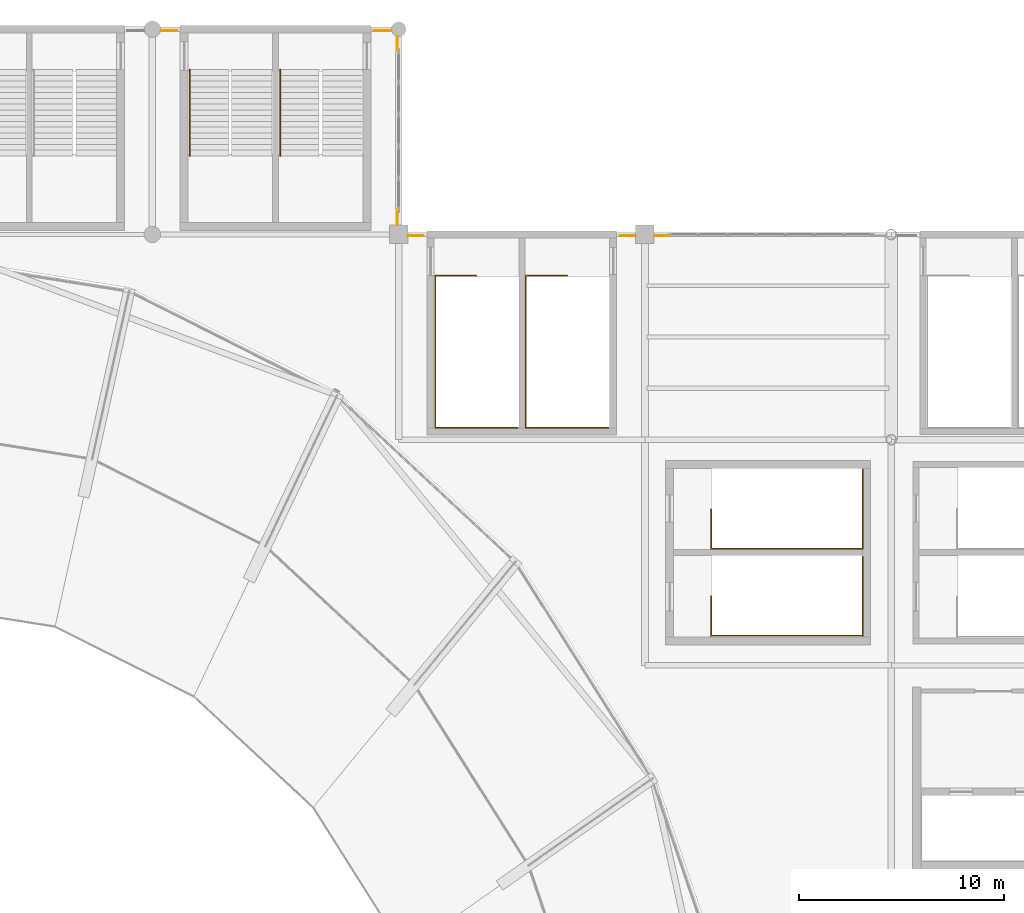
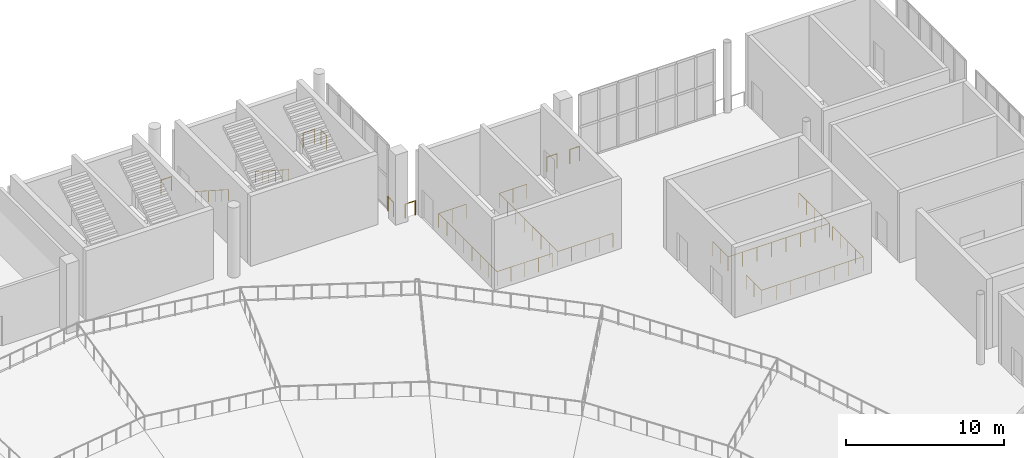
# One storey, part 72 of 74: 13 railings.
"""IFC4 building model written with IfcOpenShell, lengths in metres."""

from ifc_helpers import new_model, si_unit, direction, frame, origin, origin_2d, place, context, subcontext, project, spatial, circle, extrude, material, type_object, element, save


model = new_model("IFC4")

# Units and contexts
model_context = context("Model", 3, precision=1e-05, world=origin(), true_north=direction((0.0, 1.0)))
body_context = subcontext(model_context, "Body", "Model", "MODEL_VIEW")
ifc_project = project(units=[si_unit("LENGTHUNIT", "METRE"), si_unit("AREAUNIT", "SQUARE_METRE"), si_unit("VOLUMEUNIT", "CUBIC_METRE"), si_unit("PLANEANGLEUNIT", "RADIAN"), si_unit("MASSUNIT", "GRAM", prefix="KILO")], contexts=[model_context])

# Site, building, storey
site_placement = place(None, origin())
site = spatial("IfcSite", under=ifc_project, at=site_placement, CompositionType="ELEMENT")
building_placement = place(site_placement, origin())
building = spatial("IfcBuilding", under=site, at=building_placement, Name="Brinegate Civic Arena", CompositionType="ELEMENT")
storey_placement = place(building_placement, frame((0.0, 0.0, 19.199951171875)))
storey = spatial("IfcBuildingStorey", under=building, at=storey_placement, Name="L04", CompositionType="ELEMENT", Elevation=19.199951171875)

# Railings
ifc_material = material(Name="Architectural stainless steel balustrade", Category="steel")
railing_type_1 = type_object("IfcRailingType", Name="RAIL-STAIR-GUARD-1100", PredefinedType="GUARDRAIL", material=ifc_material)
railing_1_placement = place(storey_placement, frame((135.7900390625, 111.97998046875, 0.0)))
element("IfcRailing", 1, at=railing_1_placement, inside=storey, type_object=railing_type_1, Name="Top Stairwell Edge Guard ST-13A L04", PredefinedType="GUARDRAIL", context=body_context, shape_type="SweptSolid", body=[
    extrude(circle(Radius=0.02392578125, at=origin_2d()), frame((-0.00146484375, 0.0, 1.09619140625), z_axis=(-1.0, 0.0, 0.0), x_axis=(0.0, -1.0, 0.0)), (0.0, 0.0, 1.0), 2.01220703125),
    extrude(circle(Radius=0.02392578125, at=origin_2d()), frame((-2.01513671875, -0.00146484375, 1.09619140625), z_axis=(0.0, -1.0, 0.0), x_axis=(1.0, 0.0, 0.0)), (0.0, 0.0, 1.0), 7.39697265625),
    extrude(circle(Radius=0.02392578125, at=origin_2d()), frame((-2.013671875, -7.39990234375, 1.09619140625), z_axis=(1.0, 0.0, 0.0), x_axis=(0.0, 1.0, 0.0)), (0.0, 0.0, 1.0), 4.027099609375),
    extrude(circle(Radius=0.02099609375, at=origin_2d()), origin(), (0.0, 0.0, 1.0), 1.070068359375),
    extrude(circle(Radius=0.02099609375, at=origin_2d()), frame((-1.007568359375, 0.0, 0.0)), (0.0, 0.0, 1.0), 1.070068359375),
    extrude(circle(Radius=0.02099609375, at=origin_2d()), frame((-2.01513671875, 0.0, 0.0)), (0.0, 0.0, 1.0), 1.070068359375),
    extrude(circle(Radius=0.02099609375, at=origin_2d()), frame((-2.01513671875, -1.05712890625, 0.0)), (0.0, 0.0, 1.0), 1.070068359375),
    extrude(circle(Radius=0.02099609375, at=origin_2d()), frame((-2.01513671875, -2.1142578125, 0.0)), (0.0, 0.0, 1.0), 1.070068359375),
    extrude(circle(Radius=0.02099609375, at=origin_2d()), frame((-2.01513671875, -3.17138671875, 0.0)), (0.0, 0.0, 1.0), 1.070068359375),
    extrude(circle(Radius=0.02099609375, at=origin_2d()), frame((-2.01513671875, -4.228515625, 0.0)), (0.0, 0.0, 1.0), 1.070068359375),
    extrude(circle(Radius=0.02099609375, at=origin_2d()), frame((-2.01513671875, -5.28564453125, 0.0)), (0.0, 0.0, 1.0), 1.070068359375),
    extrude(circle(Radius=0.02099609375, at=origin_2d()), frame((-2.01513671875, -6.3427734375, 0.0)), (0.0, 0.0, 1.0), 1.070068359375),
    extrude(circle(Radius=0.02099609375, at=origin_2d()), frame((-2.01513671875, -7.39990234375, 0.0)), (0.0, 0.0, 1.0), 1.070068359375),
    extrude(circle(Radius=0.02099609375, at=origin_2d()), frame((-1.007568359375, -7.39990234375, 0.0)), (0.0, 0.0, 1.0), 1.070068359375),
    extrude(circle(Radius=0.02099609375, at=origin_2d()), frame((0.0, -7.39990234375, 0.0)), (0.0, 0.0, 1.0), 1.070068359375),
    extrude(circle(Radius=0.02099609375, at=origin_2d()), frame((1.00732421875, -7.39990234375, 0.0)), (0.0, 0.0, 1.0), 1.070068359375),
    extrude(circle(Radius=0.02099609375, at=origin_2d()), frame((2.014892578125, -7.39990234375, 0.0)), (0.0, 0.0, 1.0), 1.070068359375),
])
railing_2_placement = place(storey_placement, frame((140.2099609375, 111.97998046875, 0.0)))
element("IfcRailing", 2, at=railing_2_placement, inside=storey, type_object=railing_type_1, Name="Top Stairwell Edge Guard ST-13B L04", PredefinedType="GUARDRAIL", context=body_context, shape_type="SweptSolid", body=[
    extrude(circle(Radius=0.02392578125, at=origin_2d()), frame((-0.00146484375, 0.0, 1.09619140625), z_axis=(-1.0, 0.0, 0.0), x_axis=(0.0, -1.0, 0.0)), (0.0, 0.0, 1.0), 2.011962890625),
    extrude(circle(Radius=0.02392578125, at=origin_2d()), frame((-2.014892578125, -0.00146484375, 1.09619140625), z_axis=(0.0, -1.0, 0.0), x_axis=(1.0, 0.0, 0.0)), (0.0, 0.0, 1.0), 7.39697265625),
    extrude(circle(Radius=0.02392578125, at=origin_2d()), frame((-2.013427734375, -7.39990234375, 1.09619140625), z_axis=(1.0, 0.0, 0.0), x_axis=(0.0, 1.0, 0.0)), (0.0, 0.0, 1.0), 4.027099609375),
    extrude(circle(Radius=0.02099609375, at=origin_2d()), origin(), (0.0, 0.0, 1.0), 1.070068359375),
    extrude(circle(Radius=0.02099609375, at=origin_2d()), frame((-1.00732421875, 0.0, 0.0)), (0.0, 0.0, 1.0), 1.070068359375),
    extrude(circle(Radius=0.02099609375, at=origin_2d()), frame((-2.014892578125, 0.0, 0.0)), (0.0, 0.0, 1.0), 1.070068359375),
    extrude(circle(Radius=0.02099609375, at=origin_2d()), frame((-2.014892578125, -1.05712890625, 0.0)), (0.0, 0.0, 1.0), 1.070068359375),
    extrude(circle(Radius=0.02099609375, at=origin_2d()), frame((-2.014892578125, -2.1142578125, 0.0)), (0.0, 0.0, 1.0), 1.070068359375),
    extrude(circle(Radius=0.02099609375, at=origin_2d()), frame((-2.014892578125, -3.17138671875, 0.0)), (0.0, 0.0, 1.0), 1.070068359375),
    extrude(circle(Radius=0.02099609375, at=origin_2d()), frame((-2.014892578125, -4.228515625, 0.0)), (0.0, 0.0, 1.0), 1.070068359375),
    extrude(circle(Radius=0.02099609375, at=origin_2d()), frame((-2.014892578125, -5.28564453125, 0.0)), (0.0, 0.0, 1.0), 1.070068359375),
    extrude(circle(Radius=0.02099609375, at=origin_2d()), frame((-2.014892578125, -6.3427734375, 0.0)), (0.0, 0.0, 1.0), 1.070068359375),
    extrude(circle(Radius=0.02099609375, at=origin_2d()), frame((-2.014892578125, -7.39990234375, 0.0)), (0.0, 0.0, 1.0), 1.070068359375),
    extrude(circle(Radius=0.02099609375, at=origin_2d()), frame((-1.00732421875, -7.39990234375, 0.0)), (0.0, 0.0, 1.0), 1.070068359375),
    extrude(circle(Radius=0.02099609375, at=origin_2d()), frame((0.0, -7.39990234375, 0.0)), (0.0, 0.0, 1.0), 1.070068359375),
    extrude(circle(Radius=0.02099609375, at=origin_2d()), frame((1.007568359375, -7.39990234375, 0.0)), (0.0, 0.0, 1.0), 1.070068359375),
    extrude(circle(Radius=0.02099609375, at=origin_2d()), frame((2.01513671875, -7.39990234375, 0.0)), (0.0, 0.0, 1.0), 1.070068359375),
])
railing_3_placement = place(storey_placement, frame((147.219970703125, 96.375, 0.0)))
element("IfcRailing", 3, at=railing_3_placement, inside=storey, type_object=railing_type_1, Name="Top Stairwell Edge Guard ST-18A L04", PredefinedType="GUARDRAIL", context=body_context, shape_type="SweptSolid", body=[
    extrude(circle(Radius=0.02392578125, at=origin_2d()), frame((0.0, -0.00146484375, 1.09619140625), z_axis=(0.0, -1.0, 0.0), x_axis=(1.0, 0.0, 0.0)), (0.0, 0.0, 1.0), 1.927001953125),
    extrude(circle(Radius=0.02392578125, at=origin_2d()), frame((0.00146484375, -1.929931640625, 1.09619140625), z_axis=(1.0, 0.0, 0.0), x_axis=(0.0, 1.0, 0.0)), (0.0, 0.0, 1.0), 7.397216796875),
    extrude(circle(Radius=0.02392578125, at=origin_2d()), frame((7.400146484375, -1.928466796875, 1.09619140625), z_axis=(0.0, 1.0, 0.0), x_axis=(-1.0, 0.0, 0.0)), (0.0, 0.0, 1.0), 3.85693359375),
    extrude(circle(Radius=0.02099609375, at=origin_2d()), origin(), (0.0, 0.0, 1.0), 1.070068359375),
    extrude(circle(Radius=0.02099609375, at=origin_2d()), frame((0.0, -0.96484375, 0.0)), (0.0, 0.0, 1.0), 1.070068359375),
    extrude(circle(Radius=0.02099609375, at=origin_2d()), frame((0.0, -1.929931640625, 0.0)), (0.0, 0.0, 1.0), 1.070068359375),
    extrude(circle(Radius=0.02099609375, at=origin_2d()), frame((1.05712890625, -1.929931640625, 0.0)), (0.0, 0.0, 1.0), 1.070068359375),
    extrude(circle(Radius=0.02099609375, at=origin_2d()), frame((2.1142578125, -1.929931640625, 0.0)), (0.0, 0.0, 1.0), 1.070068359375),
    extrude(circle(Radius=0.02099609375, at=origin_2d()), frame((3.17138671875, -1.929931640625, 0.0)), (0.0, 0.0, 1.0), 1.070068359375),
    extrude(circle(Radius=0.02099609375, at=origin_2d()), frame((4.228759765625, -1.929931640625, 0.0)), (0.0, 0.0, 1.0), 1.070068359375),
    extrude(circle(Radius=0.02099609375, at=origin_2d()), frame((5.285888671875, -1.929931640625, 0.0)), (0.0, 0.0, 1.0), 1.070068359375),
    extrude(circle(Radius=0.02099609375, at=origin_2d()), frame((6.343017578125, -1.929931640625, 0.0)), (0.0, 0.0, 1.0), 1.070068359375),
    extrude(circle(Radius=0.02099609375, at=origin_2d()), frame((7.400146484375, -1.929931640625, 0.0)), (0.0, 0.0, 1.0), 1.070068359375),
    extrude(circle(Radius=0.02099609375, at=origin_2d()), frame((7.400146484375, -0.96484375, 0.0)), (0.0, 0.0, 1.0), 1.070068359375),
    extrude(circle(Radius=0.02099609375, at=origin_2d()), frame((7.400146484375, 0.0, 0.0)), (0.0, 0.0, 1.0), 1.070068359375),
    extrude(circle(Radius=0.02099609375, at=origin_2d()), frame((7.400146484375, 0.96484375, 0.0)), (0.0, 0.0, 1.0), 1.070068359375),
    extrude(circle(Radius=0.02099609375, at=origin_2d()), frame((7.400146484375, 1.929931640625, 0.0)), (0.0, 0.0, 1.0), 1.070068359375),
])
railing_4_placement = place(storey_placement, frame((147.219970703125, 100.625, 0.0)))
element("IfcRailing", 4, at=railing_4_placement, inside=storey, type_object=railing_type_1, Name="Top Stairwell Edge Guard ST-18B L04", PredefinedType="GUARDRAIL", context=body_context, shape_type="SweptSolid", body=[
    extrude(circle(Radius=0.02392578125, at=origin_2d()), frame((0.0, -0.00146484375, 1.09619140625), z_axis=(0.0, -1.0, 0.0), x_axis=(1.0, 0.0, 0.0)), (0.0, 0.0, 1.0), 1.927001953125),
    extrude(circle(Radius=0.02392578125, at=origin_2d()), frame((0.00146484375, -1.929931640625, 1.09619140625), z_axis=(1.0, 0.0, 0.0), x_axis=(0.0, 1.0, 0.0)), (0.0, 0.0, 1.0), 7.397216796875),
    extrude(circle(Radius=0.02392578125, at=origin_2d()), frame((7.400146484375, -1.928466796875, 1.09619140625), z_axis=(0.0, 1.0, 0.0), x_axis=(-1.0, 0.0, 0.0)), (0.0, 0.0, 1.0), 3.85693359375),
    extrude(circle(Radius=0.02099609375, at=origin_2d()), origin(), (0.0, 0.0, 1.0), 1.070068359375),
    extrude(circle(Radius=0.02099609375, at=origin_2d()), frame((0.0, -0.96484375, 0.0)), (0.0, 0.0, 1.0), 1.070068359375),
    extrude(circle(Radius=0.02099609375, at=origin_2d()), frame((0.0, -1.929931640625, 0.0)), (0.0, 0.0, 1.0), 1.070068359375),
    extrude(circle(Radius=0.02099609375, at=origin_2d()), frame((1.05712890625, -1.929931640625, 0.0)), (0.0, 0.0, 1.0), 1.070068359375),
    extrude(circle(Radius=0.02099609375, at=origin_2d()), frame((2.1142578125, -1.929931640625, 0.0)), (0.0, 0.0, 1.0), 1.070068359375),
    extrude(circle(Radius=0.02099609375, at=origin_2d()), frame((3.17138671875, -1.929931640625, 0.0)), (0.0, 0.0, 1.0), 1.070068359375),
    extrude(circle(Radius=0.02099609375, at=origin_2d()), frame((4.228759765625, -1.929931640625, 0.0)), (0.0, 0.0, 1.0), 1.070068359375),
    extrude(circle(Radius=0.02099609375, at=origin_2d()), frame((5.285888671875, -1.929931640625, 0.0)), (0.0, 0.0, 1.0), 1.070068359375),
    extrude(circle(Radius=0.02099609375, at=origin_2d()), frame((6.343017578125, -1.929931640625, 0.0)), (0.0, 0.0, 1.0), 1.070068359375),
    extrude(circle(Radius=0.02099609375, at=origin_2d()), frame((7.400146484375, -1.929931640625, 0.0)), (0.0, 0.0, 1.0), 1.070068359375),
    extrude(circle(Radius=0.02099609375, at=origin_2d()), frame((7.400146484375, -0.96484375, 0.0)), (0.0, 0.0, 1.0), 1.070068359375),
    extrude(circle(Radius=0.02099609375, at=origin_2d()), frame((7.400146484375, 0.0, 0.0)), (0.0, 0.0, 1.0), 1.070068359375),
    extrude(circle(Radius=0.02099609375, at=origin_2d()), frame((7.400146484375, 0.96484375, 0.0)), (0.0, 0.0, 1.0), 1.070068359375),
    extrude(circle(Radius=0.02099609375, at=origin_2d()), frame((7.400146484375, 1.929931640625, 0.0)), (0.0, 0.0, 1.0), 1.070068359375),
])
railing_type_2 = type_object("IfcRailingType", Name="RAIL-STAIR-HANDRAIL-900", PredefinedType="HANDRAIL", material=ifc_material)
for number, where, name in (
    (5, (121.824951171875, 117.830078125, 2.699951171875), "Stair Pitch Handrail ST-03A L04"),
    (6, (126.22509765625, 117.830078125, 2.699951171875), "Stair Pitch Handrail ST-03B L04"),
):
    element("IfcRailing", number, at=place(storey_placement, frame(where)), inside=storey, type_object=railing_type_2, Name=name, PredefinedType="HANDRAIL", context=body_context, shape_type="SweptSolid", body=[
        extrude(circle(Radius=0.02392578125, at=origin_2d()), frame((0.0, 0.001220703125, 0.875), z_axis=(0.0, 0.841180064094, -0.540755119968), x_axis=(-1.0, 0.0, 0.0)), (0.0, 0.0, 1.0), 4.989990234375),
        extrude(circle(Radius=0.02099609375, at=origin_2d()), origin(), (0.0, 0.0, 1.0), 0.849853515625),
        extrude(circle(Radius=0.02099609375, at=origin_2d()), frame((0.0, 0.840087890625, -0.5400390625)), (0.0, 0.0, 1.0), 0.849853515625),
        extrude(circle(Radius=0.02099609375, at=origin_2d()), frame((0.0, 1.679931640625, -1.080078125)), (0.0, 0.0, 1.0), 0.849853515625),
        extrude(circle(Radius=0.02099609375, at=origin_2d()), frame((0.0, 2.52001953125, -1.619873046875)), (0.0, 0.0, 1.0), 0.849853515625),
        extrude(circle(Radius=0.02099609375, at=origin_2d()), frame((0.0, 3.35986328125, -2.159912109375)), (0.0, 0.0, 1.0), 0.849853515625),
        extrude(circle(Radius=0.02099609375, at=origin_2d()), frame((0.0, 4.199951171875, -2.699951171875)), (0.0, 0.0, 1.0), 0.849853515625),
    ])
railing_type_3 = type_object("IfcRailingType", Name="RAIL-VOID-BALUSTRADE-1120", PredefinedType="BALUSTRADE", material=ifc_material)
railing_5_placement = place(storey_placement, frame((120.419921875, 123.929931640625, 0.0)))
element("IfcRailing", 7, at=railing_5_placement, inside=storey, type_object=railing_type_3, Name="Deck Edge Balustrade L04-340", PredefinedType="BALUSTRADE", context=body_context, shape_type="SweptSolid", body=[
    extrude(circle(Radius=0.02392578125, at=origin_2d()), frame((0.00146484375, 0.0, 1.09619140625), z_axis=(1.0, 0.0, 0.0), x_axis=(0.0, 1.0, 0.0)), (0.0, 0.0, 1.0), 0.777099609375),
    extrude(circle(Radius=0.02099609375, at=origin_2d()), origin(), (0.0, 0.0, 1.0), 1.070068359375),
    extrude(circle(Radius=0.02099609375, at=origin_2d()), frame((0.780029296875, 0.0, 0.0)), (0.0, 0.0, 1.0), 1.070068359375),
])
railing_6_placement = place(storey_placement, frame((130.800048828125, 123.929931640625, 0.0)))
element("IfcRailing", 8, at=railing_6_placement, inside=storey, type_object=railing_type_3, Name="Deck Edge Balustrade L04-341", PredefinedType="BALUSTRADE", context=body_context, shape_type="SweptSolid", body=[
    extrude(circle(Radius=0.02392578125, at=origin_2d()), frame((0.00146484375, 0.0, 1.09619140625), z_axis=(1.0, 0.0, 0.0), x_axis=(0.0, 1.0, 0.0)), (0.0, 0.0, 1.0), 0.826904296875),
    extrude(circle(Radius=0.02099609375, at=origin_2d()), origin(), (0.0, 0.0, 1.0), 1.070068359375),
    extrude(circle(Radius=0.02099609375, at=origin_2d()), frame((0.829833984375, 0.0, 0.0)), (0.0, 0.0, 1.0), 1.070068359375),
])
railing_7_placement = place(storey_placement, frame((131.929931640625, 123.6298828125, 0.0)))
element("IfcRailing", 9, at=railing_7_placement, inside=storey, type_object=railing_type_3, Name="Deck Edge Balustrade L04-342", PredefinedType="BALUSTRADE", context=body_context, shape_type="SweptSolid", body=[
    extrude(circle(Radius=0.02392578125, at=origin_2d()), frame((0.0, -0.00146484375, 1.09619140625), z_axis=(0.0, -1.0, 0.0), x_axis=(1.0, 0.0, 0.0)), (0.0, 0.0, 1.0), 0.671875),
    extrude(circle(Radius=0.02099609375, at=origin_2d()), origin(), (0.0, 0.0, 1.0), 1.070068359375),
    extrude(circle(Radius=0.02099609375, at=origin_2d()), frame((0.0, -0.6748046875, 0.0)), (0.0, 0.0, 1.0), 1.070068359375),
])
railing_8_placement = place(storey_placement, frame((131.929931640625, 115.18603515625, 0.0)))
element("IfcRailing", 10, at=railing_8_placement, inside=storey, type_object=railing_type_3, Name="Deck Edge Balustrade L04-343", PredefinedType="BALUSTRADE", context=body_context, shape_type="SweptSolid", body=[
    extrude(circle(Radius=0.02392578125, at=origin_2d()), frame((0.0, -0.00146484375, 1.09619140625), z_axis=(0.0, -1.0, 0.0), x_axis=(1.0, 0.0, 0.0)), (0.0, 0.0, 1.0), 0.713134765625),
    extrude(circle(Radius=0.02099609375, at=origin_2d()), origin(), (0.0, 0.0, 1.0), 1.070068359375),
    extrude(circle(Radius=0.02099609375, at=origin_2d()), frame((0.0, -0.716064453125, 0.0)), (0.0, 0.0, 1.0), 1.070068359375),
])
for number, where, name in (
    (11, (132.469970703125, 113.929931640625, 0.0), "Deck Edge Balustrade L04-344"),
    (12, (142.800048828125, 113.929931640625, 0.0), "Deck Edge Balustrade L04-345"),
):
    element("IfcRailing", number, at=place(storey_placement, frame(where)), inside=storey, type_object=railing_type_3, Name=name, PredefinedType="BALUSTRADE", context=body_context, shape_type="SweptSolid", body=[
        extrude(circle(Radius=0.02392578125, at=origin_2d()), frame((0.00146484375, 0.0, 1.09619140625), z_axis=(1.0, 0.0, 0.0), x_axis=(0.0, 1.0, 0.0)), (0.0, 0.0, 1.0), 0.72705078125),
        extrude(circle(Radius=0.02099609375, at=origin_2d()), origin(), (0.0, 0.0, 1.0), 1.070068359375),
        extrude(circle(Radius=0.02099609375, at=origin_2d()), frame((0.72998046875, 0.0, 0.0)), (0.0, 0.0, 1.0), 1.070068359375),
    ])
railing_9_placement = place(storey_placement, frame((144.469970703125, 113.929931640625, 0.0)))
element("IfcRailing", 13, at=railing_9_placement, inside=storey, type_object=railing_type_3, Name="Deck Edge Balustrade L04-346", PredefinedType="BALUSTRADE", context=body_context, shape_type="SweptSolid", body=[
    extrude(circle(Radius=0.02392578125, at=origin_2d()), frame((0.00146484375, 0.0, 1.09619140625), z_axis=(1.0, 0.0, 0.0), x_axis=(0.0, 1.0, 0.0)), (0.0, 0.0, 1.0), 0.713134765625),
    extrude(circle(Radius=0.02099609375, at=origin_2d()), origin(), (0.0, 0.0, 1.0), 1.070068359375),
    extrude(circle(Radius=0.02099609375, at=origin_2d()), frame((0.716064453125, 0.0, 0.0)), (0.0, 0.0, 1.0), 1.070068359375),
])

save(model, "model.ifc")
